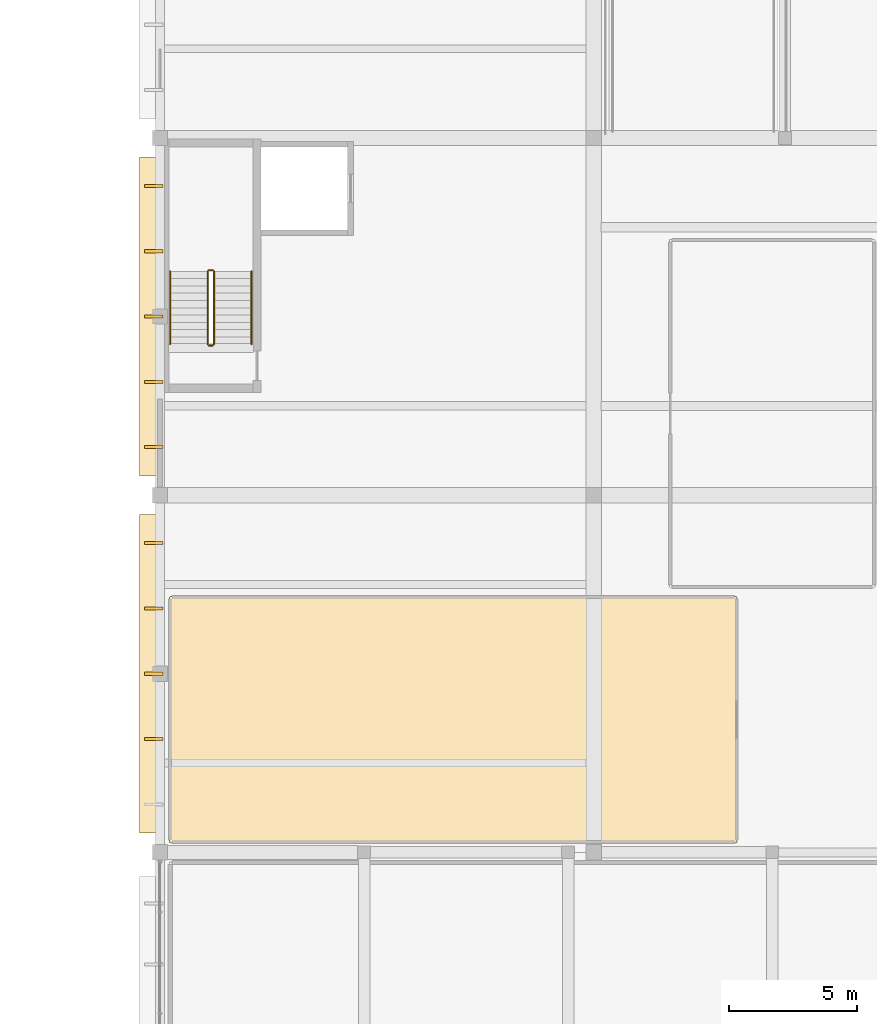
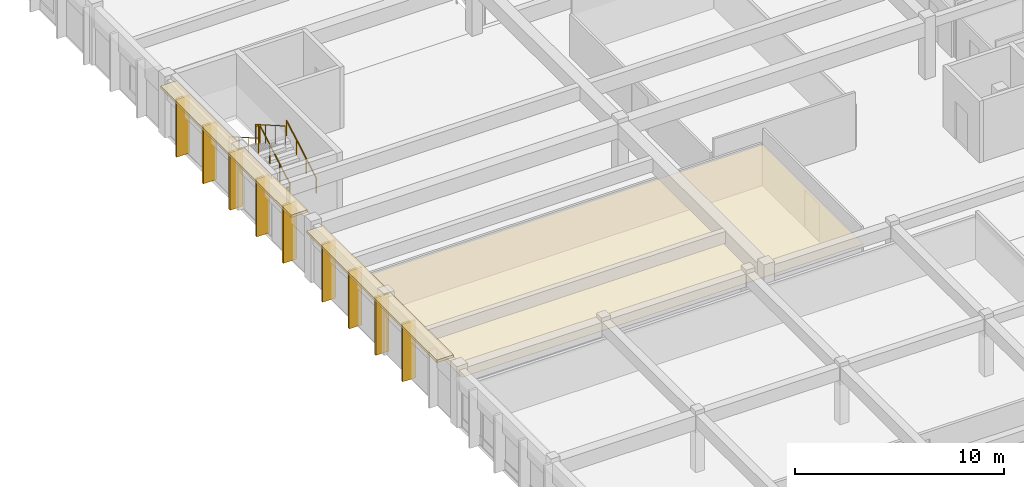
# One storey, part 27 of 33: 12 coverings, 6 railings.
"""IFC4 building model written with IfcOpenShell, lengths in metres."""

from ifc_helpers import new_model, si_unit, direction, frame, origin, origin_2d, place, context, subcontext, project, spatial, polyline, rectangle, circle, outline, extrude, material, layer, layer_set, type_object, element, save


model = new_model("IFC4")

# Units and contexts
model_context = context("Model", 3, precision=1e-05, world=origin(), true_north=direction((0.0, 1.0)))
body_context = subcontext(model_context, "Body", "Model", "MODEL_VIEW")
ifc_project = project(units=[si_unit("LENGTHUNIT", "METRE"), si_unit("AREAUNIT", "SQUARE_METRE"), si_unit("VOLUMEUNIT", "CUBIC_METRE"), si_unit("PLANEANGLEUNIT", "RADIAN"), si_unit("MASSUNIT", "GRAM", prefix="KILO")], contexts=[model_context])

# Site, building, storey
site_placement = place(None, origin())
site = spatial("IfcSite", under=ifc_project, at=site_placement, CompositionType="ELEMENT")
building_placement = place(site_placement, origin())
building = spatial("IfcBuilding", under=site, at=building_placement, Name="Larkveld Mobility Hub", CompositionType="ELEMENT")
storey_placement = place(building_placement, frame((0.0, 0.0, 15.60009765625)))
storey = spatial("IfcBuildingStorey", under=building, at=storey_placement, Name="L04", CompositionType="ELEMENT", Elevation=15.60009765625)

# Coverings
ifc_material_1 = material(Name="Precast concrete C50/60", Category="concrete")
ifc_layer_1 = layer(ifc_material_1, 0.14990234375, Name="Precast concrete C50/60", Category="concrete")
ifc_layer_set_1 = layer_set([ifc_layer_1], Name="Precast concrete C50/60")
covering_type_1 = type_object("IfcCoveringType", Name="COV-QSL-H01", PredefinedType="CLADDING", material=ifc_layer_set_1)
for number, where, z_axis, x_axis, name in (
    (1, (111.659912109375, 35.0, 3.369873046875), (0.0, 0.0, 1.0), (0.0, -1.0, 0.0), "Precast Quebra-Sol Horizontal Sunbreaker QSH-545"),
    (2, (111.659912109375, 49.0, 3.369873046875), (0.0, 0.0, 1.0), (0.0, -1.0, 0.0), "Precast Quebra-Sol Horizontal Sunbreaker QSH-551"),
):
    element("IfcCovering", number, at=place(storey_placement, frame(where, z_axis=z_axis, x_axis=x_axis)), inside=storey, type_object=covering_type_1, Name=name, PredefinedType="CLADDING", context=body_context, shape_type="SweptSolid", body=[
        extrude(rectangle(XDim=12.5, YDim=0.919921875, at=origin_2d()), origin(), (0.0, 0.0, 1.0), 0.14990234375),
    ])
ifc_layer_2 = layer(ifc_material_1, 0.1201171875, Name="Precast concrete C50/60", Category="concrete")
ifc_layer_set_2 = layer_set([ifc_layer_2], Name="Precast concrete C50/60")
covering_type_2 = type_object("IfcCoveringType", Name="COV-QSL-V01", PredefinedType="CLADDING", material=ifc_layer_set_2)
for number, where, z_axis, x_axis, name in (
    (3, (111.760009765625, 40.1201171875, -0.0205078125), (0.0, 0.0, 1.0), (0.0, -1.0, 0.0), "Precast Quebra-Sol Vertical Fin QSV-546"),
    (4, (111.760009765625, 37.56005859375, -0.0205078125), (0.0, 0.0, 1.0), (0.0, -1.0, 0.0), "Precast Quebra-Sol Vertical Fin QSV-547"),
    (5, (111.760009765625, 35.0, -0.0205078125), (0.0, 0.0, 1.0), (0.0, -1.0, 0.0), "Precast Quebra-Sol Vertical Fin QSV-548"),
    (6, (111.760009765625, 32.43994140625, -0.0205078125), (0.0, 0.0, 1.0), (0.0, -1.0, 0.0), "Precast Quebra-Sol Vertical Fin QSV-549"),
    (7, (111.760009765625, 54.1201171875, -0.0205078125), (0.0, 0.0, 1.0), (0.0, -1.0, 0.0), "Precast Quebra-Sol Vertical Fin QSV-552"),
    (8, (111.760009765625, 51.56005859375, -0.0205078125), (0.0, 0.0, 1.0), (0.0, -1.0, 0.0), "Precast Quebra-Sol Vertical Fin QSV-553"),
    (9, (111.760009765625, 49.0, -0.0205078125), (0.0, 0.0, 1.0), (0.0, -1.0, 0.0), "Precast Quebra-Sol Vertical Fin QSV-554"),
    (10, (111.760009765625, 46.43994140625, -0.0205078125), (0.0, 0.0, 1.0), (0.0, -1.0, 0.0), "Precast Quebra-Sol Vertical Fin QSV-555"),
    (11, (111.760009765625, 43.8798828125, -0.0205078125), (0.0, 0.0, 1.0), (0.0, -1.0, 0.0), "Precast Quebra-Sol Vertical Fin QSV-556"),
):
    element("IfcCovering", number, at=place(storey_placement, frame(where, z_axis=z_axis, x_axis=x_axis)), inside=storey, type_object=covering_type_2, Name=name, PredefinedType="CLADDING", context=body_context, shape_type="SweptSolid", body=[
        extrude(rectangle(XDim=0.1201171875, YDim=0.719970703125, at=origin_2d()), origin(), (0.0, 0.0, 1.0), 3.375),
    ])
ifc_material_2 = material(Name="Perforated mineral-fibre acoustic ceiling", Category="masonry")
ifc_layer_3 = layer(ifc_material_2, 0.02001953125, Name="Perforated mineral-fibre acoustic ceiling", Category="masonry")
ifc_layer_set_3 = layer_set([ifc_layer_3], Name="Perforated mineral-fibre acoustic ceiling")
covering_type_3 = type_object("IfcCoveringType", Name="CV-CLG-020", PredefinedType="CEILING", material=ifc_layer_set_3)
covering_placement = place(storey_placement, frame((0.0, 0.0, 2.329833984375)))
element("IfcCovering", 12, at=covering_placement, inside=storey, type_object=covering_type_3, Name="Metropolitan Transport Planning Studio Acoustic Ceiling 048", PredefinedType="CEILING", context=body_context, shape_type="SweptSolid", body=[
    extrude(outline(polyline([(112.419921875, 28.3701171875), (112.4169921875, 28.3701171875), (112.4140625, 28.37109375), (112.410888671875, 28.37109375), (112.408935546875, 28.3720703125), (112.406005859375, 28.3740234375), (112.403076171875, 28.375), (112.40087890625, 28.376953125), (112.39892578125, 28.37890625), (112.37890625, 28.39892578125), (112.376953125, 28.40087890625), (112.375, 28.403076171875), (112.3740234375, 28.406005859375), (112.3720703125, 28.408935546875), (112.37109375, 28.410888671875), (112.37109375, 28.4140625), (112.3701171875, 28.4169921875), (112.3701171875, 28.419921875), (112.3701171875, 37.97998046875), (112.3701171875, 37.98291015625), (112.37109375, 37.986083984375), (112.37109375, 37.989013671875), (112.3720703125, 37.990966796875), (112.3740234375, 37.993896484375), (112.375, 37.9970703125), (112.386962890625, 38.014892578125), (112.388916015625, 38.01806640625), (112.39111328125, 38.02001953125), (112.39306640625, 38.02197265625), (112.39599609375, 38.02294921875), (112.39794921875, 38.02490234375), (112.40087890625, 38.02587890625), (112.404052734375, 38.027099609375), (112.406005859375, 38.028076171875), (112.408935546875, 38.028076171875), (112.412109375, 38.028076171875), (134.580078125, 38.030029296875), (134.5830078125, 38.030029296875), (134.5859375, 38.029052734375), (134.589111328125, 38.029052734375), (134.591064453125, 38.028076171875), (134.593994140625, 38.02587890625), (134.596923828125, 38.02490234375), (134.614990234375, 38.012939453125), (134.617919921875, 38.010986328125), (134.6201171875, 38.009033203125), (134.6220703125, 38.007080078125), (134.623046875, 38.00390625), (134.625, 38.001953125), (134.6259765625, 37.9990234375), (134.626953125, 37.99609375), (134.6279296875, 37.993896484375), (134.6279296875, 37.990966796875), (134.6279296875, 37.988037109375), (134.6298828125, 28.419921875), (134.6298828125, 28.4169921875), (134.62890625, 28.4140625), (134.62890625, 28.410888671875), (134.6279296875, 28.408935546875), (134.6259765625, 28.406005859375), (134.625, 28.403076171875), (134.613037109375, 28.385009765625), (134.611083984375, 28.382080078125), (134.60888671875, 28.3798828125), (134.60693359375, 28.3779296875), (134.60400390625, 28.376953125), (134.60205078125, 28.375), (134.59912109375, 28.3740234375), (134.595947265625, 28.373046875), (134.593994140625, 28.3720703125), (134.591064453125, 28.3720703125), (134.587890625, 28.3720703125), (112.419921875, 28.3701171875)])), origin(), (0.0, 0.0, 1.0), 0.02001953125),
])

# Railings
ifc_material_3 = material(Name="Galvanized Steel S355JR balustrade", Category="steel")
railing_type_1 = type_object("IfcRailingType", Name="RL-GRD-1100", PredefinedType="GUARDRAIL", material=ifc_material_3)
railing_1_placement = place(storey_placement, frame((114.1201171875, 47.919921875, 0.16357421875)))
element("IfcRailing", 13, at=railing_1_placement, inside=storey, type_object=railing_type_1, Name="L04 ST3 stair guard 1", PredefinedType="GUARDRAIL", context=body_context, shape_type="SweptSolid", body=[
    extrude(circle(Radius=0.02392578125, at=origin_2d()), frame((0.0, 0.0, 1.076171875), z_axis=(0.0, 0.867244780686, 0.497882004468), x_axis=(-1.0, 0.0, 0.0)), (0.0, 0.0, 1.0), 3.286376953125),
    extrude(circle(Radius=0.02099609375, at=origin_2d()), origin(), (0.0, 0.0, 1.0), 1.052001953125),
    extrude(circle(Radius=0.02099609375, at=origin_2d()), frame((0.0, 0.949951171875, 0.54541015625)), (0.0, 0.0, 1.0), 1.052001953125),
    extrude(circle(Radius=0.02099609375, at=origin_2d()), frame((0.0, 1.900146484375, 1.0908203125)), (0.0, 0.0, 1.0), 1.052001953125),
    extrude(circle(Radius=0.02099609375, at=origin_2d()), frame((0.0, 2.85009765625, 1.63623046875)), (0.0, 0.0, 1.0), 1.052001953125),
])
railing_2_placement = place(storey_placement, frame((114.070068359375, 50.820068359375, 1.7998046875)))
element("IfcRailing", 14, at=railing_2_placement, inside=storey, type_object=railing_type_1, Name="L04 ST3 stair guard 2", PredefinedType="GUARDRAIL", context=body_context, shape_type="SweptSolid", body=[
    extrude(circle(Radius=0.02392578125, at=origin_2d()), frame((0.0, 0.0, 1.076171875), z_axis=(-1.0, 0.0, 0.0), x_axis=(0.0, -1.0, 0.0)), (0.0, 0.0, 1.0), 0.150146484375),
    extrude(circle(Radius=0.02099609375, at=origin_2d()), origin(), (0.0, 0.0, 1.0), 1.052001953125),
    extrude(circle(Radius=0.02099609375, at=origin_2d()), frame((-0.150146484375, 0.0, 0.0)), (0.0, 0.0, 1.0), 1.052001953125),
])
railing_3_placement = place(storey_placement, frame((113.8701171875, 50.77001953125, 1.963623046875)))
element("IfcRailing", 15, at=railing_3_placement, inside=storey, type_object=railing_type_1, Name="L04 ST3 stair guard 3", PredefinedType="GUARDRAIL", context=body_context, shape_type="SweptSolid", body=[
    extrude(circle(Radius=0.02392578125, at=origin_2d()), frame((0.0, 0.0, 1.076171875), z_axis=(0.0, -0.867244780686, 0.497882004468), x_axis=(1.0, 0.0, 0.0)), (0.0, 0.0, 1.0), 3.286376953125),
    extrude(circle(Radius=0.02099609375, at=origin_2d()), origin(), (0.0, 0.0, 1.0), 1.052001953125),
    extrude(circle(Radius=0.02099609375, at=origin_2d()), frame((0.0, -0.949951171875, 0.54541015625)), (0.0, 0.0, 1.0), 1.052001953125),
    extrude(circle(Radius=0.02099609375, at=origin_2d()), frame((0.0, -1.900146484375, 1.0908203125)), (0.0, 0.0, 1.0), 1.052001953125),
    extrude(circle(Radius=0.02099609375, at=origin_2d()), frame((0.0, -2.85009765625, 1.63623046875)), (0.0, 0.0, 1.0), 1.052001953125),
])
railing_4_placement = place(storey_placement, frame((114.070068359375, 47.8701171875, 0.0)))
element("IfcRailing", 16, at=railing_4_placement, inside=storey, type_object=railing_type_1, Name="L04 ST3 stair guard 4", PredefinedType="GUARDRAIL", context=body_context, shape_type="SweptSolid", body=[
    extrude(circle(Radius=0.02392578125, at=origin_2d()), frame((0.0, 0.0, 1.076171875), z_axis=(-1.0, 0.0, 0.0), x_axis=(0.0, -1.0, 0.0)), (0.0, 0.0, 1.0), 0.150146484375),
    extrude(circle(Radius=0.02099609375, at=origin_2d()), origin(), (0.0, 0.0, 1.0), 1.052001953125),
    extrude(circle(Radius=0.02099609375, at=origin_2d()), frame((-0.150146484375, 0.0, 0.0)), (0.0, 0.0, 1.0), 1.052001953125),
])
ifc_material_4 = material(Name="Brushed Steel S355JR tubular handrail", Category="steel")
railing_type_2 = type_object("IfcRailingType", Name="RL-HND-0900", PredefinedType="HANDRAIL", material=ifc_material_4)
railing_5_placement = place(storey_placement, frame((115.590087890625, 47.919921875, 0.16357421875)))
element("IfcRailing", 17, at=railing_5_placement, inside=storey, type_object=railing_type_2, Name="L04 ST3 stair handrail 1", PredefinedType="HANDRAIL", context=body_context, shape_type="SweptSolid", body=[
    extrude(circle(Radius=0.02392578125, at=origin_2d()), frame((0.0, 0.0, 0.8759765625), z_axis=(0.0, 0.867244780686, 0.497882004468), x_axis=(-1.0, 0.0, 0.0)), (0.0, 0.0, 1.0), 3.286376953125),
    extrude(circle(Radius=0.02099609375, at=origin_2d()), origin(), (0.0, 0.0, 1.0), 0.851806640625),
    extrude(circle(Radius=0.02099609375, at=origin_2d()), frame((0.0, 0.949951171875, 0.54541015625)), (0.0, 0.0, 1.0), 0.851806640625),
    extrude(circle(Radius=0.02099609375, at=origin_2d()), frame((0.0, 1.900146484375, 1.0908203125)), (0.0, 0.0, 1.0), 0.851806640625),
    extrude(circle(Radius=0.02099609375, at=origin_2d()), frame((0.0, 2.85009765625, 1.63623046875)), (0.0, 0.0, 1.0), 0.851806640625),
])
railing_6_placement = place(storey_placement, frame((112.39990234375, 50.77001953125, 1.963623046875)))
element("IfcRailing", 18, at=railing_6_placement, inside=storey, type_object=railing_type_2, Name="L04 ST3 stair handrail 2", PredefinedType="HANDRAIL", context=body_context, shape_type="SweptSolid", body=[
    extrude(circle(Radius=0.02392578125, at=origin_2d()), frame((0.0, 0.0, 0.8759765625), z_axis=(0.0, -0.867244780686, 0.497882004468), x_axis=(1.0, 0.0, 0.0)), (0.0, 0.0, 1.0), 3.286376953125),
    extrude(circle(Radius=0.02099609375, at=origin_2d()), origin(), (0.0, 0.0, 1.0), 0.851806640625),
    extrude(circle(Radius=0.02099609375, at=origin_2d()), frame((0.0, -0.949951171875, 0.54541015625)), (0.0, 0.0, 1.0), 0.851806640625),
    extrude(circle(Radius=0.02099609375, at=origin_2d()), frame((0.0, -1.900146484375, 1.0908203125)), (0.0, 0.0, 1.0), 0.851806640625),
    extrude(circle(Radius=0.02099609375, at=origin_2d()), frame((0.0, -2.85009765625, 1.63623046875)), (0.0, 0.0, 1.0), 0.851806640625),
])

save(model, "model.ifc")
